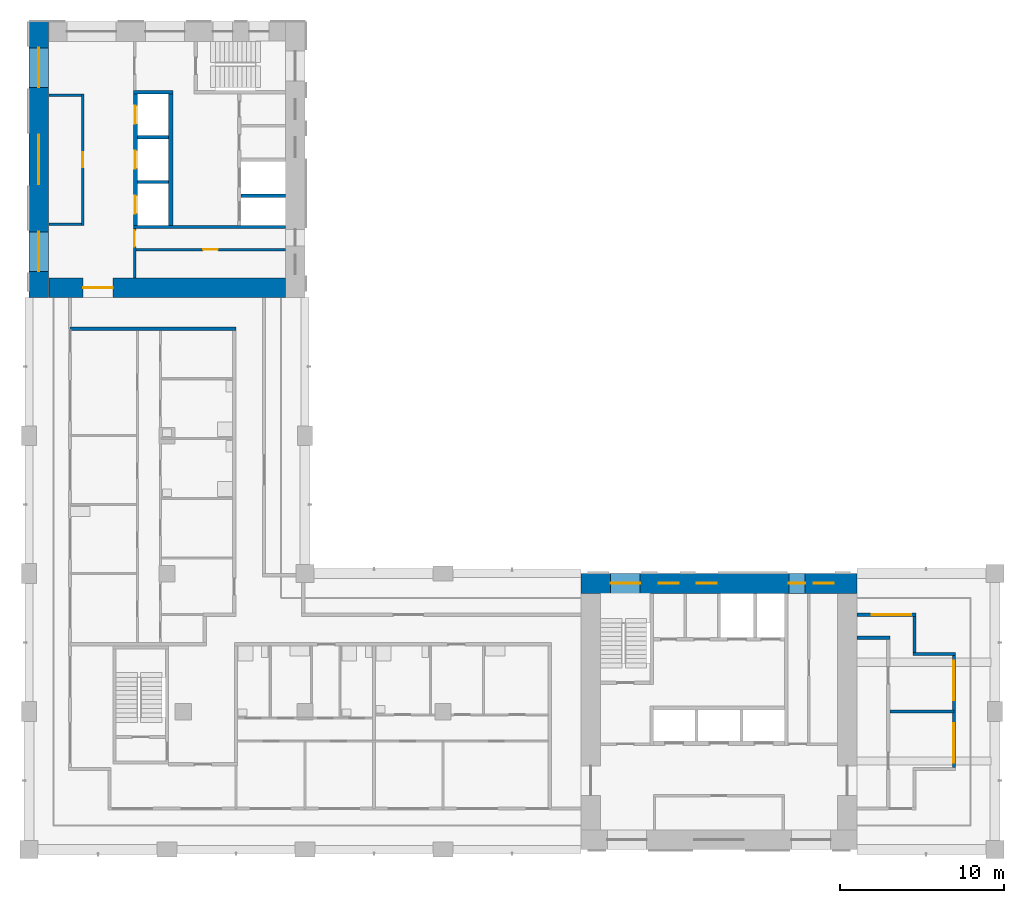
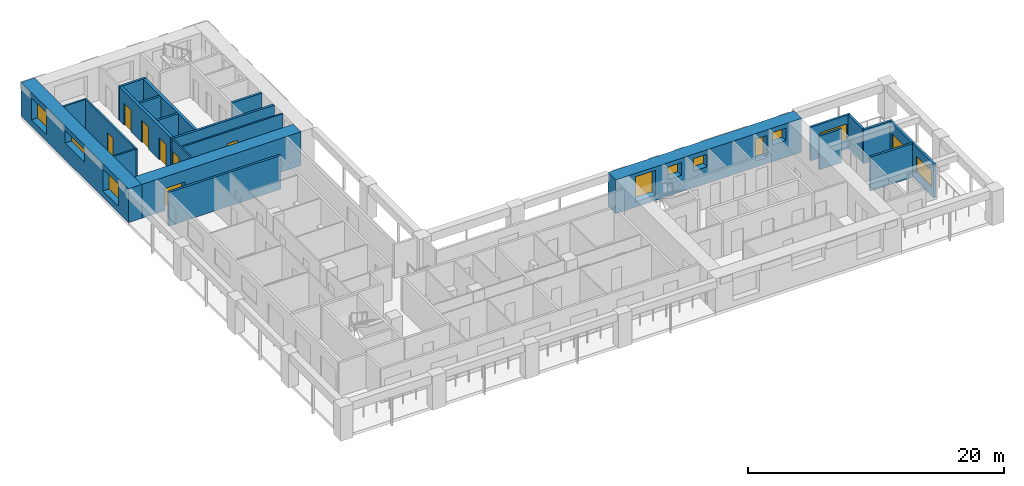
# One storey, part 5 of 10: 22 walls, 10 windows, 8 doors, 18 openings.
"""IFC4 building model written with IfcOpenShell, lengths in metres."""

from ifc_helpers import new_model, si_unit, direction, frame, frame_2d, origin, place, context, subcontext, project, spatial, rectangle, extrude, material, layer, layer_set, type_object, element, fill, save


model = new_model("IFC4")

# Units and contexts
model_context = context("Model", 3, precision=1e-05, world=origin(), true_north=direction((0.0, 1.0)))
body_context = subcontext(model_context, "Body", "Model", "MODEL_VIEW")
ifc_project = project(units=[si_unit("LENGTHUNIT", "METRE"), si_unit("AREAUNIT", "SQUARE_METRE"), si_unit("VOLUMEUNIT", "CUBIC_METRE"), si_unit("PLANEANGLEUNIT", "RADIAN"), si_unit("MASSUNIT", "GRAM", prefix="KILO")], contexts=[model_context])

# Site, building, storey
site_placement = place(None, origin())
site = spatial("IfcSite", under=ifc_project, at=site_placement, CompositionType="ELEMENT")
building_placement = place(site_placement, origin())
building = spatial("IfcBuilding", under=site, at=building_placement, Name="Vermilion Gate Residences", CompositionType="ELEMENT")
storey_placement = place(building_placement, frame((0.0, 0.0, 172.199951171875)))
storey = spatial("IfcBuildingStorey", under=building, at=storey_placement, Name="L44", CompositionType="ELEMENT", Elevation=172.199951171875)

# Walls
ifc_material_1 = material(Name="Masonry blockwork", Category="masonry")
ifc_layer_1 = layer(ifc_material_1, 0.14990234375)
ifc_layer_set_1 = layer_set([ifc_layer_1], Name="BLOCKWORK PARTITION 150 EI 120")
wall_type_1 = type_object("IfcWallType", Name="BLOCKWORK PARTITION 150 EI 120", PredefinedType="PARTITIONING", material=ifc_layer_set_1)
for number, where, z_axis, x_axis, name in (
    (1, (9.60009765625, 54.324951171875, 0.0), (0.0, 0.0, 1.0), (1.0, 0.0, 0.0), "Core room partition B44-RW-W"),
    (2, (9.60009765625, 46.47509765625, 0.0), (0.0, 0.0, 1.0), (1.0, 0.0, 0.0), "Core room partition B44-RW-E"),
):
    element("IfcWall", number, at=place(storey_placement, frame(where, z_axis=z_axis, x_axis=x_axis)), inside=storey, type_object=wall_type_1, Name=name, PredefinedType="PARTITIONING", context=body_context, shape_type="SweptSolid", body=[
        extrude(rectangle(XDim=2.0, YDim=0.14990234375, at=frame_2d((1.0, 0.0))), origin(), (0.0, 0.0, 1.0), 3.219970703125),
    ])

# Wall, opening, door
wall_1_placement = place(storey_placement, frame((11.675048828125, 54.39990234375, 0.0), z_axis=(0.0, 0.0, 1.0), x_axis=(0.0, -1.0, 0.0)))
wall_1 = element("IfcWall", 3, at=wall_1_placement, inside=storey, type_object=wall_type_1, Name="Core room partition B44-LR-F", PredefinedType="PARTITIONING", context=body_context, shape_type="SweptSolid", body=[
    extrude(rectangle(XDim=8.0, YDim=0.14990234375, at=frame_2d((4.0, 0.0))), origin(), (0.0, 0.0, 1.0), 3.219970703125),
])
opening_1_placement = place(wall_1_placement, frame((3.550048828125, 0.0, 0.0)))
opening_1 = element("IfcOpeningElement", 4, at=opening_1_placement, cuts=wall_1, Name="Opening DK44102", PredefinedType="OPENING", context=body_context, shape_type="SweptSolid", body=[
    extrude(rectangle(XDim=0.89990234375, YDim=2.10009765625, at=frame_2d((0.449951171875, 1.050048828125))), frame((0.0, 0.0849609375, 0.0), z_axis=(0.0, -1.0, 0.0), x_axis=(1.0, 0.0, 0.0)), (0.0, 0.0, 1.0), 0.169921875),
])
ifc_material_2 = material(Name="Steel", Category="steel")
door_type_1 = type_object("IfcDoorType", Name="SERVICE ROOM DOOR FD60 900 X 2100", OperationType="SINGLE_SWING_LEFT", PredefinedType="DOOR", material=ifc_material_2)
door_1_placement = place(opening_1_placement, frame((0.89990234375, 0.0, 0.0), z_axis=(0.0, 0.0, 1.0), x_axis=(-1.0, 0.0, 0.0)))
door_1 = element("IfcDoor", 5, at=door_1_placement, inside=storey, type_object=door_type_1, Name="Housekeeping store B44", OperationType="SINGLE_SWING_RIGHT", OverallHeight=2.10009765625, OverallWidth=0.89990234375, PredefinedType="DOOR", context=body_context, shape_type="SweptSolid", body=[
    extrude(rectangle(XDim=0.89990234375, YDim=2.10009765625, at=frame_2d((0.449951171875, 1.050048828125))), frame((0.0, 0.02490234375, 0.0), z_axis=(0.0, -1.0, 0.0), x_axis=(1.0, 0.0, 0.0)), (0.0, 0.0, 1.0), 0.050048828125),
])
fill(opening_1, door_1)

wall_2_placement = place(storey_placement, frame((14.824951171875, 46.199951171875, 0.0), z_axis=(0.0, 0.0, 1.0), x_axis=(0.0, -1.0, 0.0)))
wall_2 = element("IfcWall", 6, at=wall_2_placement, inside=storey, type_object=wall_type_1, Name="Core room partition B44-ES-S", PredefinedType="PARTITIONING", context=body_context, shape_type="SweptSolid", body=[
    extrude(rectangle(XDim=3.0, YDim=0.14990234375, at=frame_2d((1.5, 0.0))), origin(), (0.0, 0.0, 1.0), 3.219970703125),
])
opening_2_placement = place(wall_2_placement, frame((0.10009765625, 0.0, 0.0)))
opening_2 = element("IfcOpeningElement", 7, at=opening_2_placement, cuts=wall_2, Name="Opening DK44112", PredefinedType="OPENING", context=body_context, shape_type="SweptSolid", body=[
    extrude(rectangle(XDim=1.0, YDim=2.10009765625, at=frame_2d((0.5, 1.050048828125))), frame((0.0, 0.0849609375, 0.0), z_axis=(0.0, -1.0, 0.0), x_axis=(1.0, 0.0, 0.0)), (0.0, 0.0, 1.0), 0.169921875),
])
ifc_material_3 = material(Name="Steel", Category="steel")
door_type_2 = type_object("IfcDoorType", Name="FIRE DOOR FD60 1000 X 2100", OperationType="SINGLE_SWING_LEFT", PredefinedType="DOOR", material=ifc_material_3)
door_2_placement = place(opening_2_placement, frame((1.0, 0.0, 0.0), z_axis=(0.0, 0.0, 1.0), x_axis=(-1.0, 0.0, 0.0)))
door_2 = element("IfcDoor", 8, at=door_2_placement, inside=storey, type_object=door_type_2, Name="Service corridor door B44", OperationType="SINGLE_SWING_LEFT", OverallHeight=2.10009765625, OverallWidth=1.0, PredefinedType="DOOR", context=body_context, shape_type="SweptSolid", body=[
    extrude(rectangle(XDim=1.0, YDim=2.10009765625, at=frame_2d((0.5, 1.050048828125))), frame((0.0, 0.02490234375, 0.0), z_axis=(0.0, -1.0, 0.0), x_axis=(1.0, 0.0, 0.0)), (0.0, 0.0, 1.0), 0.050048828125),
])
fill(opening_2, door_2)

wall_3_placement = place(storey_placement, frame((14.89990234375, 44.925048828125, 0.0), z_axis=(0.0, 0.0, 1.0), x_axis=(1.0, 0.0, 0.0)))
wall_3 = element("IfcWall", 9, at=wall_3_placement, inside=storey, type_object=wall_type_1, Name="Core room partition B44-ES-W", PredefinedType="PARTITIONING", context=body_context, shape_type="SweptSolid", body=[
    extrude(rectangle(XDim=9.10009765625, YDim=0.14990234375, at=frame_2d((4.550048828125, 0.0))), origin(), (0.0, 0.0, 1.0), 3.219970703125),
])
opening_3_placement = place(wall_3_placement, frame((4.10009765625, 0.0, 0.0)))
opening_3 = element("IfcOpeningElement", 10, at=opening_3_placement, cuts=wall_3, Name="Opening DK44113", PredefinedType="OPENING", context=body_context, shape_type="SweptSolid", body=[
    extrude(rectangle(XDim=0.89990234375, YDim=2.10009765625, at=frame_2d((0.449951171875, 1.050048828125))), frame((0.0, 0.0849609375, 0.0), z_axis=(0.0, -1.0, 0.0), x_axis=(1.0, 0.0, 0.0)), (0.0, 0.0, 1.0), 0.169921875),
])
door_3_placement = place(opening_3_placement, frame((0.89990234375, 0.0, 0.0), z_axis=(0.0, 0.0, 1.0), x_axis=(-1.0, 0.0, 0.0)))
door_3 = element("IfcDoor", 11, at=door_3_placement, inside=storey, type_object=door_type_1, Name="Electrical room B44", OperationType="SINGLE_SWING_RIGHT", OverallHeight=2.10009765625, OverallWidth=0.89990234375, PredefinedType="DOOR", context=body_context, shape_type="SweptSolid", body=[
    extrude(rectangle(XDim=0.89990234375, YDim=2.10009765625, at=frame_2d((0.449951171875, 1.050048828125))), frame((0.0, 0.02490234375, 0.0), z_axis=(0.0, -1.0, 0.0), x_axis=(1.0, 0.0, 0.0)), (0.0, 0.0, 1.0), 0.050048828125),
])
fill(opening_3, door_3)

# Wall, openings, door, window
ifc_material_4 = material(Name="Insulated steel stud wall with terracotta rainscreen", Category="masonry")
ifc_layer_2 = layer(ifc_material_4, 0.199951171875)
ifc_layer_set_2 = layer_set([ifc_layer_2], Name="EXTERNAL WALL 200 TERRACOTTA RAINSCREEN")
wall_type_2 = type_object("IfcWallType", Name="EXTERNAL WALL 200 TERRACOTTA RAINSCREEN", PredefinedType="SOLIDWALL", material=ifc_layer_set_2)
wall_4_placement = place(storey_placement, frame((64.699951171875, 13.39990234375, 0.0), z_axis=(0.0, 0.0, 1.0), x_axis=(0.0, 1.0, 0.0)))
wall_4 = element("IfcWall", 12, at=wall_4_placement, inside=storey, type_object=wall_type_2, Name="External wall", PredefinedType="SOLIDWALL", context=body_context, shape_type="SweptSolid", body=[
    extrude(rectangle(XDim=6.800048828125, YDim=0.199951171875, at=frame_2d((3.39990234375, 0.0))), origin(), (0.0, 0.0, 1.0), 3.219970703125),
])
opening_4_placement = place(wall_4_placement, frame((0.300048828125, 0.0, 0.89990234375)))
opening_4 = element("IfcOpeningElement", 13, at=opening_4_placement, cuts=wall_4, Name="Opening WE44016", PredefinedType="OPENING", context=body_context, shape_type="SweptSolid", body=[
    extrude(rectangle(XDim=2.39990234375, YDim=1.5, at=frame_2d((1.199951171875, 0.75))), frame((0.0, 0.10986328125, 0.0), z_axis=(0.0, -1.0, 0.0), x_axis=(1.0, 0.0, 0.0)), (0.0, 0.0, 1.0), 0.219970703125),
])
opening_5_placement = place(wall_4_placement, frame((4.10009765625, 0.0, 0.0)))
opening_5 = element("IfcOpeningElement", 14, at=opening_5_placement, cuts=wall_4, Name="Opening DE44019", PredefinedType="OPENING", context=body_context, shape_type="SweptSolid", body=[
    extrude(rectangle(XDim=2.39990234375, YDim=2.199951171875, at=frame_2d((1.199951171875, 1.10009765625))), frame((0.0, 0.10986328125, 0.0), z_axis=(0.0, -1.0, 0.0), x_axis=(1.0, 0.0, 0.0)), (0.0, 0.0, 1.0), 0.219970703125),
])
ifc_material_5 = material(Name="Aluminium and clear glass", Category="aluminium")
door_type_3 = type_object("IfcDoorType", Name="SLIDING GLAZED DOOR 2400 X 2200", OperationType="DOUBLE_DOOR_SLIDING", PredefinedType="DOOR", material=ifc_material_5)
door_4_placement = place(opening_5_placement, origin())
door_4 = element("IfcDoor", 15, at=door_4_placement, inside=storey, type_object=door_type_3, Name="Loggia sliding door", OperationType="DOUBLE_DOOR_SLIDING", OverallHeight=2.199951171875, OverallWidth=2.39990234375, PredefinedType="DOOR", context=body_context, shape_type="SweptSolid", body=[
    extrude(rectangle(XDim=2.39990234375, YDim=2.199951171875, at=frame_2d((1.199951171875, 1.10009765625))), frame((0.0, 0.02490234375, 0.0), z_axis=(0.0, -1.0, 0.0), x_axis=(1.0, 0.0, 0.0)), (0.0, 0.0, 1.0), 0.050048828125),
])
fill(opening_5, door_4)
ifc_material_6 = material(Name="Aluminium and clear glass", Category="aluminium")
window_type_1 = type_object("IfcWindowType", Name="WINDOW 2400 X 1500", PartitioningType="SINGLE_PANEL", PredefinedType="WINDOW", material=ifc_material_6)
window_1_placement = place(opening_4_placement, origin())
window_1 = element("IfcWindow", 16, at=window_1_placement, inside=storey, type_object=window_type_1, Name="Window", OverallHeight=1.5, OverallWidth=2.39990234375, PartitioningType="SINGLE_PANEL", PredefinedType="WINDOW", context=body_context, shape_type="SweptSolid", body=[
    extrude(rectangle(XDim=2.39990234375, YDim=1.5, at=frame_2d((1.199951171875, 0.75))), frame((0.0, 0.030029296875, 0.0), z_axis=(0.0, -1.0, 0.0), x_axis=(1.0, 0.0, 0.0)), (0.0, 0.0, 1.0), 0.06005859375),
])
fill(opening_4, window_1)

# Walls
wall_5_placement = place(storey_placement, frame((64.800048828125, 20.300048828125, 0.0), z_axis=(0.0, 0.0, 1.0), x_axis=(-1.0, 0.0, 0.0)))
element("IfcWall", 17, at=wall_5_placement, inside=storey, type_object=wall_type_2, Name="External wall", PredefinedType="SOLIDWALL", context=body_context, shape_type="SweptSolid", body=[
    extrude(rectangle(XDim=2.60009765625, YDim=0.199951171875, at=frame_2d((1.300048828125, 0.0))), origin(), (0.0, 0.0, 1.0), 3.219970703125),
])
wall_6_placement = place(storey_placement, frame((62.300048828125, 20.39990234375, 0.0), z_axis=(0.0, 0.0, 1.0), x_axis=(0.0, 1.0, 0.0)))
element("IfcWall", 18, at=wall_6_placement, inside=storey, type_object=wall_type_2, Name="External wall", PredefinedType="SOLIDWALL", context=body_context, shape_type="SweptSolid", body=[
    extrude(rectangle(XDim=2.2001953125, YDim=0.199951171875, at=frame_2d((1.10009765625, 0.0))), origin(), (0.0, 0.0, 1.0), 3.219970703125),
])

# Wall, opening, window
wall_7_placement = place(storey_placement, frame((62.39990234375, 22.699951171875, 0.0), z_axis=(0.0, 0.0, 1.0), x_axis=(-1.0, 0.0, 0.0)))
wall_7 = element("IfcWall", 19, at=wall_7_placement, inside=storey, type_object=wall_type_2, Name="External wall", PredefinedType="SOLIDWALL", context=body_context, shape_type="SweptSolid", body=[
    extrude(rectangle(XDim=3.599853515625, YDim=0.199951171875, at=frame_2d((1.7998046875, 0.0))), origin(), (0.0, 0.0, 1.0), 3.219970703125),
])
opening_6_placement = place(wall_7_placement, frame((0.300048828125, 0.0, 0.89990234375)))
opening_6 = element("IfcOpeningElement", 20, at=opening_6_placement, cuts=wall_7, Name="Opening WE44018", PredefinedType="OPENING", context=body_context, shape_type="SweptSolid", body=[
    extrude(rectangle(XDim=2.39990234375, YDim=1.5, at=frame_2d((1.199951171875, 0.75))), frame((0.0, 0.10986328125, 0.0), z_axis=(0.0, -1.0, 0.0), x_axis=(1.0, 0.0, 0.0)), (0.0, 0.0, 1.0), 0.219970703125),
])
window_2_placement = place(opening_6_placement, origin())
window_2 = element("IfcWindow", 21, at=window_2_placement, inside=storey, type_object=window_type_1, Name="Window", OverallHeight=1.5, OverallWidth=2.39990234375, PartitioningType="SINGLE_PANEL", PredefinedType="WINDOW", context=body_context, shape_type="SweptSolid", body=[
    extrude(rectangle(XDim=2.39990234375, YDim=1.5, at=frame_2d((1.199951171875, 0.75))), frame((0.0, 0.030029296875, 0.0), z_axis=(0.0, -1.0, 0.0), x_axis=(1.0, 0.0, 0.0)), (0.0, 0.0, 1.0), 0.06005859375),
])
fill(opening_6, window_2)

# Walls
ifc_material_7 = material(Name="Fire-rated plasterboard on steel studs", Category="steel")
ifc_layer_3 = layer(ifc_material_7, 0.199951171875)
ifc_layer_set_3 = layer_set([ifc_layer_3], Name="PARTY WALL 200 EI 120")
wall_type_3 = type_object("IfcWallType", Name="PARTY WALL 200 EI 120", PredefinedType="PARTITIONING", material=ifc_layer_set_3)
wall_8_placement = place(storey_placement, frame((60.800048828125, 16.800048828125, 0.0), z_axis=(0.0, 0.0, 1.0), x_axis=(1.0, 0.0, 0.0)))
element("IfcWall", 22, at=wall_8_placement, inside=storey, type_object=wall_type_3, Name="Party and corridor wall", PredefinedType="PARTITIONING", context=body_context, shape_type="SweptSolid", body=[
    extrude(rectangle(XDim=3.89990234375, YDim=0.199951171875, at=frame_2d((1.949951171875, 0.0))), origin(), (0.0, 0.0, 1.0), 3.219970703125),
])
wall_9_placement = place(storey_placement, frame((58.800048828125, 21.300048828125, 0.0), z_axis=(0.0, 0.0, 1.0), x_axis=(1.0, 0.0, 0.0)))
element("IfcWall", 23, at=wall_9_placement, inside=storey, type_object=wall_type_3, Name="Party and corridor wall", PredefinedType="PARTITIONING", context=body_context, shape_type="SweptSolid", body=[
    extrude(rectangle(XDim=2.0, YDim=0.199951171875, at=frame_2d((1.0, 0.0))), origin(), (0.0, 0.0, 1.0), 3.219970703125),
])
wall_10_placement = place(storey_placement, frame((10.89990234375, 40.10009765625, 0.0), z_axis=(0.0, 0.0, 1.0), x_axis=(1.0, 0.0, 0.0)))
element("IfcWall", 24, at=wall_10_placement, inside=storey, type_object=wall_type_3, Name="Party and corridor wall", PredefinedType="PARTITIONING", context=body_context, shape_type="SweptSolid", body=[
    extrude(rectangle(XDim=10.10009765625, YDim=0.199951171875, at=frame_2d((5.050048828125, 0.0))), origin(), (0.0, 0.0, 1.0), 3.219970703125),
])
ifc_material_8 = material(Name="Concrete C60", Category="concrete")
ifc_layer_4 = layer(ifc_material_8, 0.199951171875)
ifc_layer_set_4 = layer_set([ifc_layer_4], Name="RC CORE INTERNAL WALL 200 C60")
wall_type_4 = type_object("IfcWallType", Name="RC CORE INTERNAL WALL 200 C60", PredefinedType="SHEAR", material=ifc_layer_set_4)
for number, where, z_axis, x_axis, name in (
    (25, (15.0, 51.7666015625, 0.0), (0.0, 0.0, 1.0), (1.0, 0.0, 0.0), "Core internal wall B44-HR-D1"),
    (26, (15.0, 49.033447265625, 0.0), (0.0, 0.0, 1.0), (1.0, 0.0, 0.0), "Core internal wall B44-HR-D2"),
):
    element("IfcWall", number, at=place(storey_placement, frame(where, z_axis=z_axis, x_axis=x_axis)), inside=storey, type_object=wall_type_4, Name=name, PredefinedType="SHEAR", context=body_context, shape_type="SweptSolid", body=[
        extrude(rectangle(XDim=1.89990234375, YDim=0.199951171875, at=frame_2d((0.949951171875, 0.0))), origin(), (0.0, 0.0, 1.0), 3.219970703125),
    ])
wall_11_placement = place(storey_placement, frame((21.300048828125, 48.199951171875, 0.0), z_axis=(0.0, 0.0, 1.0), x_axis=(1.0, 0.0, 0.0)))
element("IfcWall", 27, at=wall_11_placement, inside=storey, type_object=wall_type_4, Name="Core internal wall B44-FF-D1", PredefinedType="SHEAR", context=body_context, shape_type="SweptSolid", body=[
    extrude(rectangle(XDim=2.699951171875, YDim=0.199951171875, at=frame_2d((1.35009765625, 0.0))), origin(), (0.0, 0.0, 1.0), 3.219970703125),
])
wall_12_placement = place(storey_placement, frame((14.75, 54.5, 0.0), z_axis=(0.0, 0.0, 1.0), x_axis=(1.0, 0.0, 0.0)))
element("IfcWall", 28, at=wall_12_placement, inside=storey, type_object=wall_type_4, Name="Core internal wall B44-WDIV1", PredefinedType="SHEAR", context=body_context, shape_type="SweptSolid", body=[
    extrude(rectangle(XDim=2.39990234375, YDim=0.199951171875, at=frame_2d((1.199951171875, 0.0))), origin(), (0.0, 0.0, 1.0), 3.219970703125),
])
wall_13_placement = place(storey_placement, frame((14.75, 46.300048828125, 0.0), z_axis=(0.0, 0.0, 1.0), x_axis=(1.0, 0.0, 0.0)))
element("IfcWall", 29, at=wall_13_placement, inside=storey, type_object=wall_type_4, Name="Core internal wall B44-EDIV", PredefinedType="SHEAR", context=body_context, shape_type="SweptSolid", body=[
    extrude(rectangle(XDim=9.25, YDim=0.199951171875, at=frame_2d((4.625, 0.0))), origin(), (0.0, 0.0, 1.0), 3.219970703125),
])

# Wall, opening, door
ifc_material_9 = material(Name="Concrete C60", Category="concrete")
ifc_layer_5 = layer(ifc_material_9, 1.199951171875)
ifc_layer_set_5 = layer_set([ifc_layer_5], Name="RC CORE WALL 1200 C60")
wall_type_5 = type_object("IfcWallType", Name="RC CORE WALL 1200 C60", PredefinedType="SHEAR", material=ifc_layer_set_5)
wall_14_placement = place(storey_placement, frame((9.60009765625, 42.60009765625, 0.0), z_axis=(0.0, 0.0, 1.0), x_axis=(1.0, 0.0, 0.0)))
wall_14 = element("IfcWall", 30, at=wall_14_placement, inside=storey, type_object=wall_type_5, Name="Core wall B44-OUT-BK", PredefinedType="SHEAR", context=body_context, shape_type="SweptSolid", body=[
    extrude(rectangle(XDim=14.39990234375, YDim=1.199951171875, at=frame_2d((7.199951171875, 0.0))), origin(), (0.0, 0.0, 1.0), 3.219970703125),
])
opening_7_placement = place(wall_14_placement, frame((2.10009765625, 0.0, 0.0)))
opening_7 = element("IfcOpeningElement", 31, at=opening_7_placement, cuts=wall_14, Name="Opening DK44101", PredefinedType="OPENING", context=body_context, shape_type="SweptSolid", body=[
    extrude(rectangle(XDim=1.800048828125, YDim=2.10009765625, at=frame_2d((0.89990234375, 1.050048828125))), frame((0.0, 0.60986328125, 0.0), z_axis=(0.0, -1.0, 0.0), x_axis=(1.0, 0.0, 0.0)), (0.0, 0.0, 1.0), 1.219970703125),
])
ifc_material_10 = material(Name="Steel", Category="steel")
door_type_4 = type_object("IfcDoorType", Name="CORE LOBBY DOOR FD60 1800 X 2100", OperationType="DOUBLE_DOOR_SINGLE_SWING", PredefinedType="DOOR", material=ifc_material_10)
door_5_placement = place(opening_7_placement, frame((1.800048828125, 0.0, 0.0), z_axis=(0.0, 0.0, 1.0), x_axis=(-1.0, 0.0, 0.0)))
door_5 = element("IfcDoor", 32, at=door_5_placement, inside=storey, type_object=door_type_4, Name="Core lobby door B44", OperationType="DOUBLE_DOOR_SINGLE_SWING", OverallHeight=2.10009765625, OverallWidth=1.800048828125, PredefinedType="DOOR", context=body_context, shape_type="SweptSolid", body=[
    extrude(rectangle(XDim=1.800048828125, YDim=2.10009765625, at=frame_2d((0.89990234375, 1.050048828125))), frame((0.0, 0.02490234375, 0.0), z_axis=(0.0, -1.0, 0.0), x_axis=(1.0, 0.0, 0.0)), (0.0, 0.0, 1.0), 0.050048828125),
])
fill(opening_7, door_5)

# Wall, openings, windows
ifc_material_11 = material(Name="Concrete C60 red-oxide pigmented", Category="concrete")
ifc_layer_6 = layer(ifc_material_11, 1.199951171875)
ifc_layer_set_6 = layer_set([ifc_layer_6], Name="RC CORE WALL 1200 C60 RED OXIDE")
wall_type_6 = type_object("IfcWallType", Name="RC CORE WALL 1200 C60 RED OXIDE", PredefinedType="SHEAR", material=ifc_layer_set_6)
wall_15_placement = place(storey_placement, frame((42.0, 24.60009765625, 0.0), z_axis=(0.0, 0.0, 1.0), x_axis=(1.0, 0.0, 0.0)))
wall_15 = element("IfcWall", 33, at=wall_15_placement, inside=storey, type_object=wall_type_6, Name="Core wall A44-OUT-B1", PredefinedType="SHEAR", context=body_context, shape_type="SweptSolid", body=[
    extrude(rectangle(XDim=16.800048828125, YDim=1.199951171875, at=frame_2d((8.39990234375, 0.0))), origin(), (0.0, 0.0, 1.0), 3.219970703125),
])
opening_8_placement = place(wall_15_placement, frame((1.800048828125, 0.0, 0.5)))
opening_8 = element("IfcOpeningElement", 34, at=opening_8_placement, cuts=wall_15, Name="Opening WKA4404", PredefinedType="OPENING", context=body_context, shape_type="SweptSolid", body=[
    extrude(rectangle(XDim=1.800048828125, YDim=2.39990234375, at=frame_2d((0.89990234375, 1.199951171875))), frame((0.0, 0.60986328125, 0.0), z_axis=(0.0, -1.0, 0.0), x_axis=(1.0, 0.0, 0.0)), (0.0, 0.0, 1.0), 1.219970703125),
])
opening_9_placement = place(wall_15_placement, frame((4.737548828125, 0.0, 1.60009765625)))
opening_9 = element("IfcOpeningElement", 35, at=opening_9_placement, cuts=wall_15, Name="Opening WKA4405", PredefinedType="OPENING", context=body_context, shape_type="SweptSolid", body=[
    extrude(rectangle(XDim=1.199951171875, YDim=1.199951171875, at=frame_2d((0.60009765625, 0.60009765625))), frame((0.0, 0.60986328125, 0.0), z_axis=(0.0, -1.0, 0.0), x_axis=(1.0, 0.0, 0.0)), (0.0, 0.0, 1.0), 1.219970703125),
])
opening_10_placement = place(wall_15_placement, frame((7.050048828125, 0.0, 1.60009765625)))
opening_10 = element("IfcOpeningElement", 36, at=opening_10_placement, cuts=wall_15, Name="Opening WKA4406", PredefinedType="OPENING", context=body_context, shape_type="SweptSolid", body=[
    extrude(rectangle(XDim=1.199951171875, YDim=1.199951171875, at=frame_2d((0.60009765625, 0.60009765625))), frame((0.0, 0.60986328125, 0.0), z_axis=(0.0, -1.0, 0.0), x_axis=(1.0, 0.0, 0.0)), (0.0, 0.0, 1.0), 1.219970703125),
])
opening_11_placement = place(wall_15_placement, frame((12.64990234375, 0.0, 0.60009765625)))
opening_11 = element("IfcOpeningElement", 37, at=opening_11_placement, cuts=wall_15, Name="Opening WKA4407", PredefinedType="OPENING", context=body_context, shape_type="SweptSolid", body=[
    extrude(rectangle(XDim=1.0, YDim=2.10009765625, at=frame_2d((0.5, 1.050048828125))), frame((0.0, 0.60986328125, 0.0), z_axis=(0.0, -1.0, 0.0), x_axis=(1.0, 0.0, 0.0)), (0.0, 0.0, 1.0), 1.219970703125),
])
opening_12_placement = place(wall_15_placement, frame((14.175048828125, 0.0, 1.60009765625)))
opening_12 = element("IfcOpeningElement", 38, at=opening_12_placement, cuts=wall_15, Name="Opening WKA4408", PredefinedType="OPENING", context=body_context, shape_type="SweptSolid", body=[
    extrude(rectangle(XDim=1.199951171875, YDim=1.199951171875, at=frame_2d((0.60009765625, 0.60009765625))), frame((0.0, 0.60986328125, 0.0), z_axis=(0.0, -1.0, 0.0), x_axis=(1.0, 0.0, 0.0)), (0.0, 0.0, 1.0), 1.219970703125),
])
ifc_material_12 = material(Name="Aluminium and clear glass", Category="aluminium")
window_type_2 = type_object("IfcWindowType", Name="CORE CORRIDOR WINDOW 1000 X 2100", PartitioningType="SINGLE_PANEL", PredefinedType="WINDOW", material=ifc_material_12)
window_3_placement = place(opening_11_placement, origin())
window_3 = element("IfcWindow", 39, at=window_3_placement, inside=storey, type_object=window_type_2, Name="Core corridor window", OverallHeight=2.10009765625, OverallWidth=1.0, PartitioningType="SINGLE_PANEL", PredefinedType="WINDOW", context=body_context, shape_type="SweptSolid", body=[
    extrude(rectangle(XDim=1.0, YDim=2.10009765625, at=frame_2d((0.5, 1.050048828125))), frame((0.0, 0.030029296875, 0.0), z_axis=(0.0, -1.0, 0.0), x_axis=(1.0, 0.0, 0.0)), (0.0, 0.0, 1.0), 0.06005859375),
])
fill(opening_11, window_3)
ifc_material_13 = material(Name="Aluminium frame with louvre blades", Category="aluminium")
window_type_3 = type_object("IfcWindowType", Name="CORE LOUVRE 1200 X 1200", PartitioningType="SINGLE_PANEL", PredefinedType="WINDOW", material=ifc_material_13)
window_4_placement = place(opening_9_placement, origin())
window_4 = element("IfcWindow", 40, at=window_4_placement, inside=storey, type_object=window_type_3, Name="Core louvre", OverallHeight=1.199951171875, OverallWidth=1.199951171875, PartitioningType="SINGLE_PANEL", PredefinedType="WINDOW", context=body_context, shape_type="SweptSolid", body=[
    extrude(rectangle(XDim=1.199951171875, YDim=1.199951171875, at=frame_2d((0.60009765625, 0.60009765625))), frame((0.0, 0.030029296875, 0.0), z_axis=(0.0, -1.0, 0.0), x_axis=(1.0, 0.0, 0.0)), (0.0, 0.0, 1.0), 0.06005859375),
])
fill(opening_9, window_4)
window_5_placement = place(opening_10_placement, origin())
window_5 = element("IfcWindow", 41, at=window_5_placement, inside=storey, type_object=window_type_3, Name="Core louvre", OverallHeight=1.199951171875, OverallWidth=1.199951171875, PartitioningType="SINGLE_PANEL", PredefinedType="WINDOW", context=body_context, shape_type="SweptSolid", body=[
    extrude(rectangle(XDim=1.199951171875, YDim=1.199951171875, at=frame_2d((0.60009765625, 0.60009765625))), frame((0.0, 0.030029296875, 0.0), z_axis=(0.0, -1.0, 0.0), x_axis=(1.0, 0.0, 0.0)), (0.0, 0.0, 1.0), 0.06005859375),
])
fill(opening_10, window_5)
window_6_placement = place(opening_12_placement, origin())
window_6 = element("IfcWindow", 42, at=window_6_placement, inside=storey, type_object=window_type_3, Name="Core louvre", OverallHeight=1.199951171875, OverallWidth=1.199951171875, PartitioningType="SINGLE_PANEL", PredefinedType="WINDOW", context=body_context, shape_type="SweptSolid", body=[
    extrude(rectangle(XDim=1.199951171875, YDim=1.199951171875, at=frame_2d((0.60009765625, 0.60009765625))), frame((0.0, 0.030029296875, 0.0), z_axis=(0.0, -1.0, 0.0), x_axis=(1.0, 0.0, 0.0)), (0.0, 0.0, 1.0), 0.06005859375),
])
fill(opening_12, window_6)
ifc_material_14 = material(Name="Aluminium and clear glass", Category="aluminium")
window_type_4 = type_object("IfcWindowType", Name="CORE STAIR WINDOW 1800 X 2400", PartitioningType="SINGLE_PANEL", PredefinedType="WINDOW", material=ifc_material_14)
window_7_placement = place(opening_8_placement, origin())
window_7 = element("IfcWindow", 43, at=window_7_placement, inside=storey, type_object=window_type_4, Name="Core stair window", OverallHeight=2.39990234375, OverallWidth=1.800048828125, PartitioningType="SINGLE_PANEL", PredefinedType="WINDOW", context=body_context, shape_type="SweptSolid", body=[
    extrude(rectangle(XDim=1.800048828125, YDim=2.39990234375, at=frame_2d((0.89990234375, 1.199951171875))), frame((0.0, 0.030029296875, 0.0), z_axis=(0.0, -1.0, 0.0), x_axis=(1.0, 0.0, 0.0)), (0.0, 0.0, 1.0), 0.06005859375),
])
fill(opening_8, window_7)

wall_16_placement = place(storey_placement, frame((9.0, 58.800048828125, 0.0), z_axis=(0.0, 0.0, 1.0), x_axis=(0.0, -1.0, 0.0)))
wall_16 = element("IfcWall", 44, at=wall_16_placement, inside=storey, type_object=wall_type_6, Name="Core wall B44-OUT-B0", PredefinedType="SHEAR", context=body_context, shape_type="SweptSolid", body=[
    extrude(rectangle(XDim=16.800048828125, YDim=1.199951171875, at=frame_2d((8.39990234375, 0.0))), origin(), (0.0, 0.0, 1.0), 3.219970703125),
])
opening_13_placement = place(wall_16_placement, frame((1.60009765625, 0.0, 0.60009765625)))
opening_13 = element("IfcOpeningElement", 45, at=opening_13_placement, cuts=wall_16, Name="Opening WKB4401", PredefinedType="OPENING", context=body_context, shape_type="SweptSolid", body=[
    extrude(rectangle(XDim=2.39990234375, YDim=2.10009765625, at=frame_2d((1.199951171875, 1.050048828125))), frame((0.0, 0.60986328125, 0.0), z_axis=(0.0, -1.0, 0.0), x_axis=(1.0, 0.0, 0.0)), (0.0, 0.0, 1.0), 1.219970703125),
])
opening_14_placement = place(wall_16_placement, frame((6.89990234375, 0.0, 1.60009765625)))
opening_14 = element("IfcOpeningElement", 46, at=opening_14_placement, cuts=wall_16, Name="Opening WKB4402", PredefinedType="OPENING", context=body_context, shape_type="SweptSolid", body=[
    extrude(rectangle(XDim=3.0, YDim=1.199951171875, at=frame_2d((1.5, 0.60009765625))), frame((0.0, 0.60986328125, 0.0), z_axis=(0.0, -1.0, 0.0), x_axis=(1.0, 0.0, 0.0)), (0.0, 0.0, 1.0), 1.219970703125),
])
opening_15_placement = place(wall_16_placement, frame((12.800048828125, 0.0, 0.60009765625)))
opening_15 = element("IfcOpeningElement", 47, at=opening_15_placement, cuts=wall_16, Name="Opening WKB4403", PredefinedType="OPENING", context=body_context, shape_type="SweptSolid", body=[
    extrude(rectangle(XDim=2.39990234375, YDim=2.10009765625, at=frame_2d((1.199951171875, 1.050048828125))), frame((0.0, 0.60986328125, 0.0), z_axis=(0.0, -1.0, 0.0), x_axis=(1.0, 0.0, 0.0)), (0.0, 0.0, 1.0), 1.219970703125),
])
ifc_material_15 = material(Name="Aluminium and clear glass", Category="aluminium")
window_type_5 = type_object("IfcWindowType", Name="CORE LOBBY WINDOW 2400 X 2100", PartitioningType="SINGLE_PANEL", PredefinedType="WINDOW", material=ifc_material_15)
window_8_placement = place(opening_13_placement, origin())
window_8 = element("IfcWindow", 48, at=window_8_placement, inside=storey, type_object=window_type_5, Name="Core lobby window", OverallHeight=2.10009765625, OverallWidth=2.39990234375, PartitioningType="SINGLE_PANEL", PredefinedType="WINDOW", context=body_context, shape_type="SweptSolid", body=[
    extrude(rectangle(XDim=2.39990234375, YDim=2.10009765625, at=frame_2d((1.199951171875, 1.050048828125))), frame((0.0, 0.030029296875, 0.0), z_axis=(0.0, -1.0, 0.0), x_axis=(1.0, 0.0, 0.0)), (0.0, 0.0, 1.0), 0.06005859375),
])
fill(opening_13, window_8)
window_9_placement = place(opening_15_placement, origin())
window_9 = element("IfcWindow", 49, at=window_9_placement, inside=storey, type_object=window_type_5, Name="Core lobby window", OverallHeight=2.10009765625, OverallWidth=2.39990234375, PartitioningType="SINGLE_PANEL", PredefinedType="WINDOW", context=body_context, shape_type="SweptSolid", body=[
    extrude(rectangle(XDim=2.39990234375, YDim=2.10009765625, at=frame_2d((1.199951171875, 1.050048828125))), frame((0.0, 0.030029296875, 0.0), z_axis=(0.0, -1.0, 0.0), x_axis=(1.0, 0.0, 0.0)), (0.0, 0.0, 1.0), 0.06005859375),
])
fill(opening_15, window_9)
ifc_material_16 = material(Name="Aluminium frame with louvre blades", Category="aluminium")
window_type_6 = type_object("IfcWindowType", Name="CORE LOUVRE 3000 X 1200", PartitioningType="SINGLE_PANEL", PredefinedType="WINDOW", material=ifc_material_16)
window_10_placement = place(opening_14_placement, origin())
window_10 = element("IfcWindow", 50, at=window_10_placement, inside=storey, type_object=window_type_6, Name="Core louvre", OverallHeight=1.199951171875, OverallWidth=3.0, PartitioningType="SINGLE_PANEL", PredefinedType="WINDOW", context=body_context, shape_type="SweptSolid", body=[
    extrude(rectangle(XDim=3.0, YDim=1.199951171875, at=frame_2d((1.5, 0.60009765625))), frame((0.0, 0.030029296875, 0.0), z_axis=(0.0, -1.0, 0.0), x_axis=(1.0, 0.0, 0.0)), (0.0, 0.0, 1.0), 0.06005859375),
])
fill(opening_14, window_10)

# Wall, openings, doors
ifc_material_17 = material(Name="Concrete C60", Category="concrete")
ifc_layer_7 = layer(ifc_material_17, 0.25)
ifc_layer_set_7 = layer_set([ifc_layer_7], Name="RC LIFT SHAFT WALL 250 C60")
wall_type_7 = type_object("IfcWallType", Name="RC LIFT SHAFT WALL 250 C60", PredefinedType="SHEAR", material=ifc_layer_set_7)
wall_17_placement = place(storey_placement, frame((14.875, 54.39990234375, 0.0), z_axis=(0.0, 0.0, 1.0), x_axis=(0.0, -1.0, 0.0)))
wall_17 = element("IfcWall", 51, at=wall_17_placement, inside=storey, type_object=wall_type_7, Name="Lift shaft wall B44-HR-F", PredefinedType="SHEAR", context=body_context, shape_type="SweptSolid", body=[
    extrude(rectangle(XDim=8.0, YDim=0.25, at=frame_2d((4.0, 0.0))), origin(), (0.0, 0.0, 1.0), 3.219970703125),
])
opening_16_placement = place(wall_17_placement, frame((0.716552734375, 0.0, 0.0)))
opening_16 = element("IfcOpeningElement", 52, at=opening_16_placement, cuts=wall_17, Name="Opening LD", PredefinedType="OPENING", context=body_context, shape_type="SweptSolid", body=[
    extrude(rectangle(XDim=1.10009765625, YDim=2.10009765625, at=frame_2d((0.550048828125, 1.050048828125))), frame((0.0, 0.135009765625, 0.0), z_axis=(0.0, -1.0, 0.0), x_axis=(1.0, 0.0, 0.0)), (0.0, 0.0, 1.0), 0.27001953125),
])
opening_17_placement = place(wall_17_placement, frame((3.449951171875, 0.0, 0.0)))
opening_17 = element("IfcOpeningElement", 53, at=opening_17_placement, cuts=wall_17, Name="Opening LD", PredefinedType="OPENING", context=body_context, shape_type="SweptSolid", body=[
    extrude(rectangle(XDim=1.10009765625, YDim=2.10009765625, at=frame_2d((0.550048828125, 1.050048828125))), frame((0.0, 0.135009765625, 0.0), z_axis=(0.0, -1.0, 0.0), x_axis=(1.0, 0.0, 0.0)), (0.0, 0.0, 1.0), 0.27001953125),
])
opening_18_placement = place(wall_17_placement, frame((6.183349609375, 0.0, 0.0)))
opening_18 = element("IfcOpeningElement", 54, at=opening_18_placement, cuts=wall_17, Name="Opening LD", PredefinedType="OPENING", context=body_context, shape_type="SweptSolid", body=[
    extrude(rectangle(XDim=1.10009765625, YDim=2.10009765625, at=frame_2d((0.550048828125, 1.050048828125))), frame((0.0, 0.135009765625, 0.0), z_axis=(0.0, -1.0, 0.0), x_axis=(1.0, 0.0, 0.0)), (0.0, 0.0, 1.0), 0.27001953125),
])
ifc_material_18 = material(Name="Stainless steel", Category="steel")
door_type_5 = type_object("IfcDoorType", Name="LIFT LANDING DOOR E60 1100 X 2100", OperationType="DOUBLE_DOOR_SLIDING", PredefinedType="DOOR", material=ifc_material_18)
door_6_placement = place(opening_16_placement, origin())
door_6 = element("IfcDoor", 55, at=door_6_placement, inside=storey, type_object=door_type_5, Name="Lift landing door HRB1", OperationType="DOUBLE_DOOR_SLIDING", OverallHeight=2.10009765625, OverallWidth=1.10009765625, PredefinedType="DOOR", context=body_context, shape_type="SweptSolid", body=[
    extrude(rectangle(XDim=1.10009765625, YDim=2.10009765625, at=frame_2d((0.550048828125, 1.050048828125))), frame((0.0, 0.02490234375, 0.0), z_axis=(0.0, -1.0, 0.0), x_axis=(1.0, 0.0, 0.0)), (0.0, 0.0, 1.0), 0.050048828125),
])
fill(opening_16, door_6)
door_7_placement = place(opening_17_placement, origin())
door_7 = element("IfcDoor", 56, at=door_7_placement, inside=storey, type_object=door_type_5, Name="Lift landing door HRB2", OperationType="DOUBLE_DOOR_SLIDING", OverallHeight=2.10009765625, OverallWidth=1.10009765625, PredefinedType="DOOR", context=body_context, shape_type="SweptSolid", body=[
    extrude(rectangle(XDim=1.10009765625, YDim=2.10009765625, at=frame_2d((0.550048828125, 1.050048828125))), frame((0.0, 0.02490234375, 0.0), z_axis=(0.0, -1.0, 0.0), x_axis=(1.0, 0.0, 0.0)), (0.0, 0.0, 1.0), 0.050048828125),
])
fill(opening_17, door_7)
door_8_placement = place(opening_18_placement, origin())
door_8 = element("IfcDoor", 57, at=door_8_placement, inside=storey, type_object=door_type_5, Name="Lift landing door HRB3", OperationType="DOUBLE_DOOR_SLIDING", OverallHeight=2.10009765625, OverallWidth=1.10009765625, PredefinedType="DOOR", context=body_context, shape_type="SweptSolid", body=[
    extrude(rectangle(XDim=1.10009765625, YDim=2.10009765625, at=frame_2d((0.550048828125, 1.050048828125))), frame((0.0, 0.02490234375, 0.0), z_axis=(0.0, -1.0, 0.0), x_axis=(1.0, 0.0, 0.0)), (0.0, 0.0, 1.0), 0.050048828125),
])
fill(opening_18, door_8)

# Wall
wall_18_placement = place(storey_placement, frame((17.02490234375, 54.39990234375, 0.0), z_axis=(0.0, 0.0, 1.0), x_axis=(0.0, -1.0, 0.0)))
element("IfcWall", 58, at=wall_18_placement, inside=storey, type_object=wall_type_7, Name="Lift shaft wall B44-HR-B", PredefinedType="SHEAR", context=body_context, shape_type="SweptSolid", body=[
    extrude(rectangle(XDim=8.0, YDim=0.25, at=frame_2d((4.0, 0.0))), origin(), (0.0, 0.0, 1.0), 3.219970703125),
])

save(model, "model.ifc")
